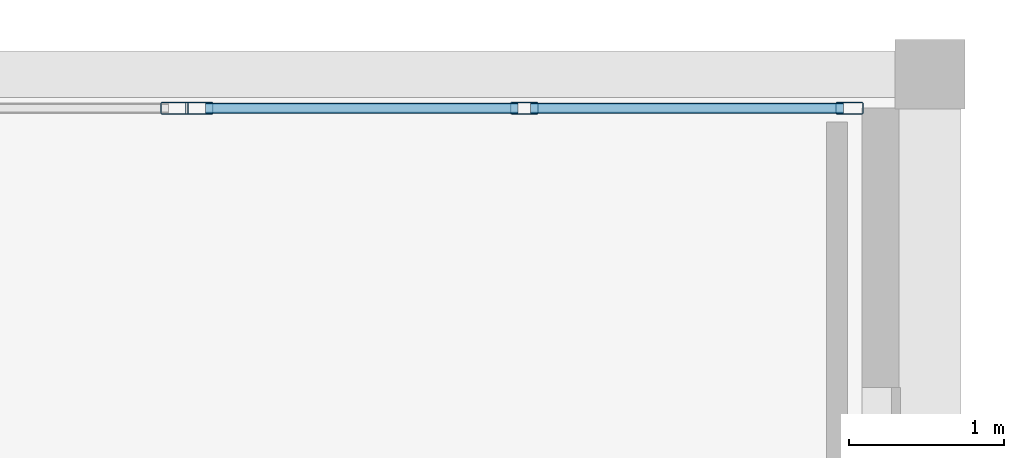
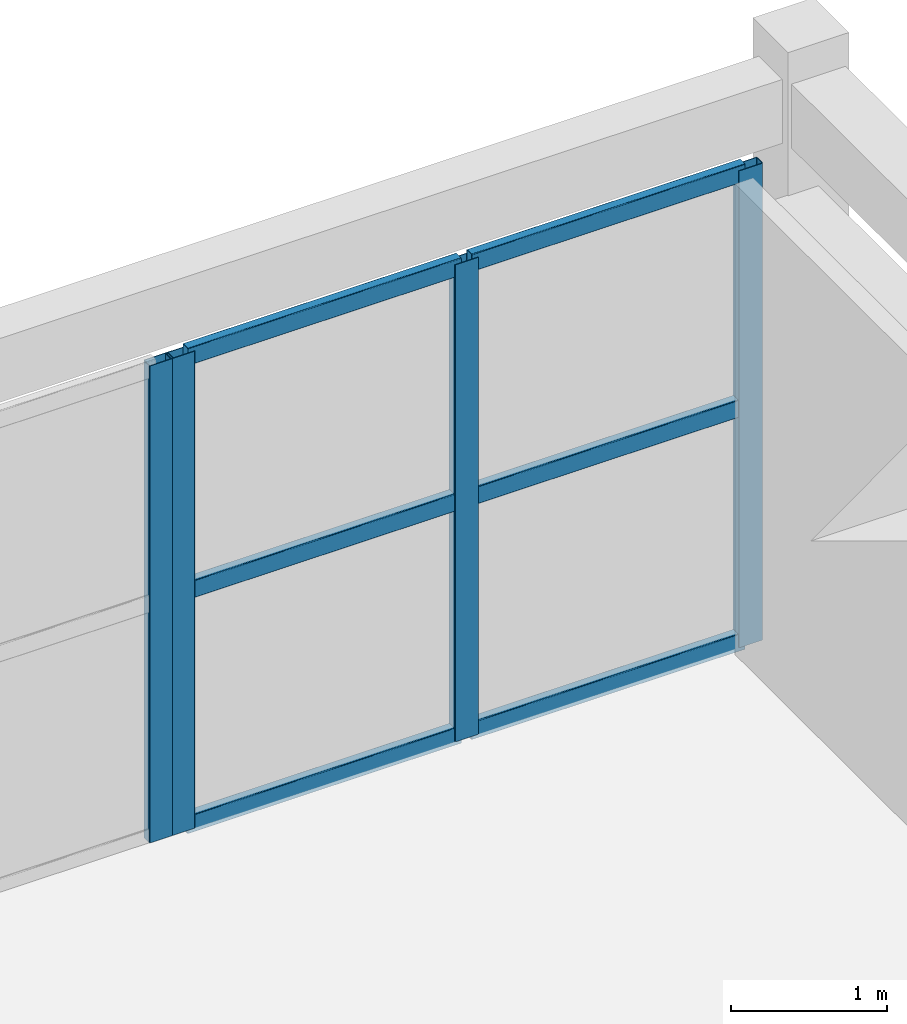
# One storey, part 51 of 91: 10 members, 2 elements without a shape of their own.
"""IFC4 building model written with IfcOpenShell, lengths in metres."""

from ifc_helpers import new_model, si_unit, direction, frame, origin, origin_2d, place, context, subcontext, project, spatial, hollow_rectangle, extrude, material, layer, layer_set, material_profile, profile_set, type_object, element, aggregate, save


model = new_model("IFC4")

# Units and contexts
model_context = context("Model", 3, precision=1e-05, world=origin(), true_north=direction((0.0, 1.0)))
body_context = subcontext(model_context, "Body", "Model", "MODEL_VIEW")
ifc_project = project(units=[si_unit("LENGTHUNIT", "METRE"), si_unit("AREAUNIT", "SQUARE_METRE"), si_unit("VOLUMEUNIT", "CUBIC_METRE"), si_unit("PLANEANGLEUNIT", "RADIAN"), si_unit("MASSUNIT", "GRAM", prefix="KILO")], contexts=[model_context])

# Site, building, storey
site_placement = place(None, origin())
site = spatial("IfcSite", under=ifc_project, at=site_placement, CompositionType="ELEMENT")
building_placement = place(site_placement, origin())
building = spatial("IfcBuilding", under=site, at=building_placement, Name="Tarnavel Promenade Courthouse", CompositionType="ELEMENT")
storey_placement = place(building_placement, frame((0.0, 0.0, 9.89990234375)))
storey = spatial("IfcBuildingStorey", under=building, at=storey_placement, Name="L03", CompositionType="ELEMENT", Elevation=9.89990234375)

# Curtain wall, member
ifc_material_1 = material(Name="Thermally Broken Anodised Aluminium Curtain Wall System", Category="aluminium")
ifc_layer = layer(ifc_material_1, 0.199951171875)
ifc_layer_set = layer_set([ifc_layer], Name="Thermally Broken Anodised Aluminium Curtain Wall System")
curtain_wall_type = type_object("IfcCurtainWallType", Name="Thermally Broken Aluminium Triple-Glazed Curtain Wall CW-FOYER", PredefinedType="NOTDEFINED", material=ifc_layer_set)
curtain_wall_1_placement = place(storey_placement, origin())
curtain_wall_1 = element("IfcCurtainWall", 1, at=curtain_wall_1_placement, inside=storey, type_object=curtain_wall_type, Name="L03 North Foyer Curtain Wall A 148", PredefinedType="NOTDEFINED")
ifc_material_2 = material(Name="Thermally Broken Anodised Aluminium Frame", Category="aluminium")
ifc_material_profile_1 = material_profile(ifc_material_2, hollow_rectangle(XDim=0.080078125, YDim=0.179931640625, WallThickness=0.0048828125, InnerFilletRadius=0.0048828125, OuterFilletRadius=0.010009765625, at=origin_2d()), Name="CWM 180x80x5")
ifc_profile_set_1 = profile_set([ifc_material_profile_1], Name="Thermally Broken Anodised Aluminium Frame")
member_type_1 = type_object("IfcMemberType", Name="Thermally Broken Anodised Aluminium CWM-155 (CWM 180x80x5)", PredefinedType="MULLION", material=ifc_profile_set_1)
member_1_placement = place(storey_placement, frame((97.1201171875, 112.580078125, 0.0), z_axis=(0.0, 0.0, 1.0), x_axis=(0.0, 1.0, 0.0)))
member_1 = element("IfcMember", 2, at=member_1_placement, type_object=member_type_1, Name="CW-04 mullion 3", PredefinedType="MULLION", context=body_context, shape_type="SweptSolid", body=[
    extrude(hollow_rectangle(XDim=0.080078125, YDim=0.179931640625, WallThickness=0.0048828125, InnerFilletRadius=0.0048828125, OuterFilletRadius=0.010009765625, at=origin_2d()), origin(), (0.0, 0.0, 1.0), 3.72998046875),
])
aggregate(curtain_wall_1, [member_1])

# Curtain wall, members
curtain_wall_2_placement = place(storey_placement, origin())
curtain_wall_2 = element("IfcCurtainWall", 3, at=curtain_wall_2_placement, inside=storey, type_object=curtain_wall_type, Name="L03 North Foyer Curtain Wall B 149", PredefinedType="NOTDEFINED")
member_2_placement = place(storey_placement, frame((97.280029296875, 112.580078125, 0.0), z_axis=(0.0, 0.0, 1.0), x_axis=(0.0, 1.0, 0.0)))
member_2 = element("IfcMember", 4, at=member_2_placement, type_object=member_type_1, Name="CW-04 mullion 1", PredefinedType="MULLION", context=body_context, shape_type="SweptSolid", body=[
    extrude(hollow_rectangle(XDim=0.080078125, YDim=0.179931640625, WallThickness=0.0048828125, InnerFilletRadius=0.0048828125, OuterFilletRadius=0.010009765625, at=origin_2d()), origin(), (0.0, 0.0, 1.0), 3.72998046875),
])
member_3_placement = place(storey_placement, frame((99.3798828125, 112.580078125, 0.0), z_axis=(0.0, 0.0, 1.0), x_axis=(0.0, 1.0, 0.0)))
member_3 = element("IfcMember", 5, at=member_3_placement, type_object=member_type_1, Name="CW-04 mullion 2", PredefinedType="MULLION", context=body_context, shape_type="SweptSolid", body=[
    extrude(hollow_rectangle(XDim=0.080078125, YDim=0.179931640625, WallThickness=0.0048828125, InnerFilletRadius=0.0048828125, OuterFilletRadius=0.010009765625, at=origin_2d()), origin(), (0.0, 0.0, 1.0), 3.72998046875),
])
member_4_placement = place(storey_placement, frame((101.47998046875, 112.580078125, 0.0), z_axis=(0.0, 0.0, 1.0), x_axis=(0.0, 1.0, 0.0)))
member_4 = element("IfcMember", 6, at=member_4_placement, type_object=member_type_1, Name="CW-04 mullion 3", PredefinedType="MULLION", context=body_context, shape_type="SweptSolid", body=[
    extrude(hollow_rectangle(XDim=0.080078125, YDim=0.179931640625, WallThickness=0.0048828125, InnerFilletRadius=0.0048828125, OuterFilletRadius=0.010009765625, at=origin_2d()), origin(), (0.0, 0.0, 1.0), 3.72998046875),
])
ifc_material_profile_2 = material_profile(ifc_material_2, hollow_rectangle(XDim=0.070068359375, YDim=0.139892578125, WallThickness=0.0048828125, InnerFilletRadius=0.0048828125, OuterFilletRadius=0.010009765625, at=origin_2d()), Name="CWT 140x70x5")
ifc_profile_set_2 = profile_set([ifc_material_profile_2], Name="Thermally Broken Anodised Aluminium Frame")
member_type_2 = type_object("IfcMemberType", Name="Thermally Broken Anodised Aluminium CWT-125 (CWT 140x70x5)", PredefinedType="USERDEFINED", material=ifc_profile_set_2)
member_5_placement = place(storey_placement, frame((97.320068359375, 112.580078125, 0.03515625), z_axis=(1.0, 0.0, 0.0), x_axis=(0.0, 1.0, 0.0)))
member_5 = element("IfcMember", 7, at=member_5_placement, type_object=member_type_2, Name="CW-04 transom 1.1", ObjectType="TRANSOM", PredefinedType="USERDEFINED", context=body_context, shape_type="SweptSolid", body=[
    extrude(hollow_rectangle(XDim=0.070068359375, YDim=0.139892578125, WallThickness=0.0048828125, InnerFilletRadius=0.0048828125, OuterFilletRadius=0.010009765625, at=origin_2d()), origin(), (0.0, 0.0, 1.0), 2.02001953125),
])
member_6_placement = place(storey_placement, frame((97.320068359375, 112.580078125, 1.864990234375), z_axis=(1.0, 0.0, 0.0), x_axis=(0.0, 1.0, 0.0)))
member_6 = element("IfcMember", 8, at=member_6_placement, type_object=member_type_2, Name="CW-04 transom 1.2", ObjectType="TRANSOM", PredefinedType="USERDEFINED", context=body_context, shape_type="SweptSolid", body=[
    extrude(hollow_rectangle(XDim=0.070068359375, YDim=0.139892578125, WallThickness=0.0048828125, InnerFilletRadius=0.0048828125, OuterFilletRadius=0.010009765625, at=origin_2d()), origin(), (0.0, 0.0, 1.0), 2.02001953125),
])
member_7_placement = place(storey_placement, frame((97.320068359375, 112.580078125, 3.695068359375), z_axis=(1.0, 0.0, 0.0), x_axis=(0.0, 1.0, 0.0)))
member_7 = element("IfcMember", 9, at=member_7_placement, type_object=member_type_2, Name="CW-04 transom 1.3", ObjectType="TRANSOM", PredefinedType="USERDEFINED", context=body_context, shape_type="SweptSolid", body=[
    extrude(hollow_rectangle(XDim=0.070068359375, YDim=0.139892578125, WallThickness=0.0048828125, InnerFilletRadius=0.0048828125, OuterFilletRadius=0.010009765625, at=origin_2d()), origin(), (0.0, 0.0, 1.0), 2.02001953125),
])
member_8_placement = place(storey_placement, frame((99.419921875, 112.580078125, 0.03515625), z_axis=(1.0, 0.0, 0.0), x_axis=(0.0, 1.0, 0.0)))
member_8 = element("IfcMember", 10, at=member_8_placement, type_object=member_type_2, Name="CW-04 transom 2.1", ObjectType="TRANSOM", PredefinedType="USERDEFINED", context=body_context, shape_type="SweptSolid", body=[
    extrude(hollow_rectangle(XDim=0.070068359375, YDim=0.139892578125, WallThickness=0.0048828125, InnerFilletRadius=0.0048828125, OuterFilletRadius=0.010009765625, at=origin_2d()), origin(), (0.0, 0.0, 1.0), 2.02001953125),
])
member_9_placement = place(storey_placement, frame((99.419921875, 112.580078125, 1.864990234375), z_axis=(1.0, 0.0, 0.0), x_axis=(0.0, 1.0, 0.0)))
member_9 = element("IfcMember", 11, at=member_9_placement, type_object=member_type_2, Name="CW-04 transom 2.2", ObjectType="TRANSOM", PredefinedType="USERDEFINED", context=body_context, shape_type="SweptSolid", body=[
    extrude(hollow_rectangle(XDim=0.070068359375, YDim=0.139892578125, WallThickness=0.0048828125, InnerFilletRadius=0.0048828125, OuterFilletRadius=0.010009765625, at=origin_2d()), origin(), (0.0, 0.0, 1.0), 2.02001953125),
])
member_10_placement = place(storey_placement, frame((99.419921875, 112.580078125, 3.695068359375), z_axis=(1.0, 0.0, 0.0), x_axis=(0.0, 1.0, 0.0)))
member_10 = element("IfcMember", 12, at=member_10_placement, type_object=member_type_2, Name="CW-04 transom 2.3", ObjectType="TRANSOM", PredefinedType="USERDEFINED", context=body_context, shape_type="SweptSolid", body=[
    extrude(hollow_rectangle(XDim=0.070068359375, YDim=0.139892578125, WallThickness=0.0048828125, InnerFilletRadius=0.0048828125, OuterFilletRadius=0.010009765625, at=origin_2d()), origin(), (0.0, 0.0, 1.0), 2.02001953125),
])
aggregate(curtain_wall_2, [member_2, member_3, member_4, member_5, member_6, member_7, member_8, member_9, member_10])

save(model, "model.ifc")
